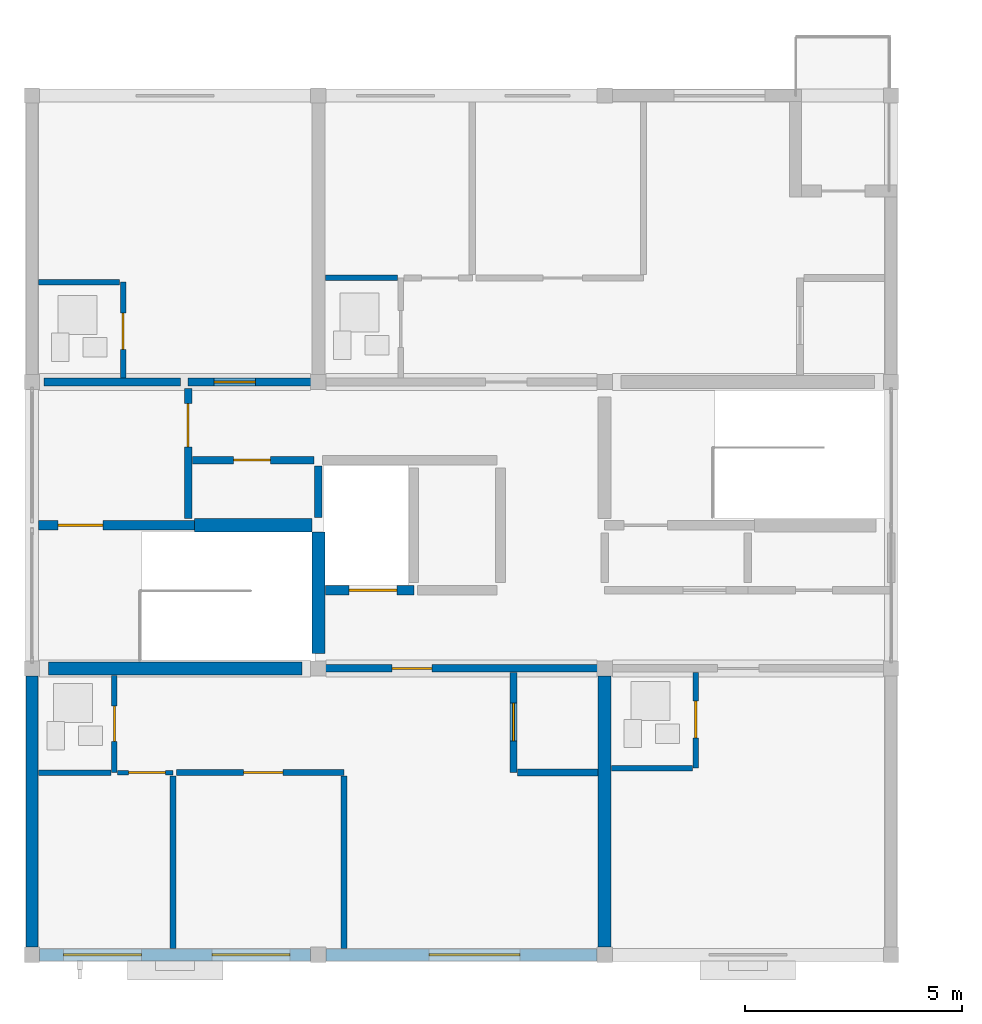
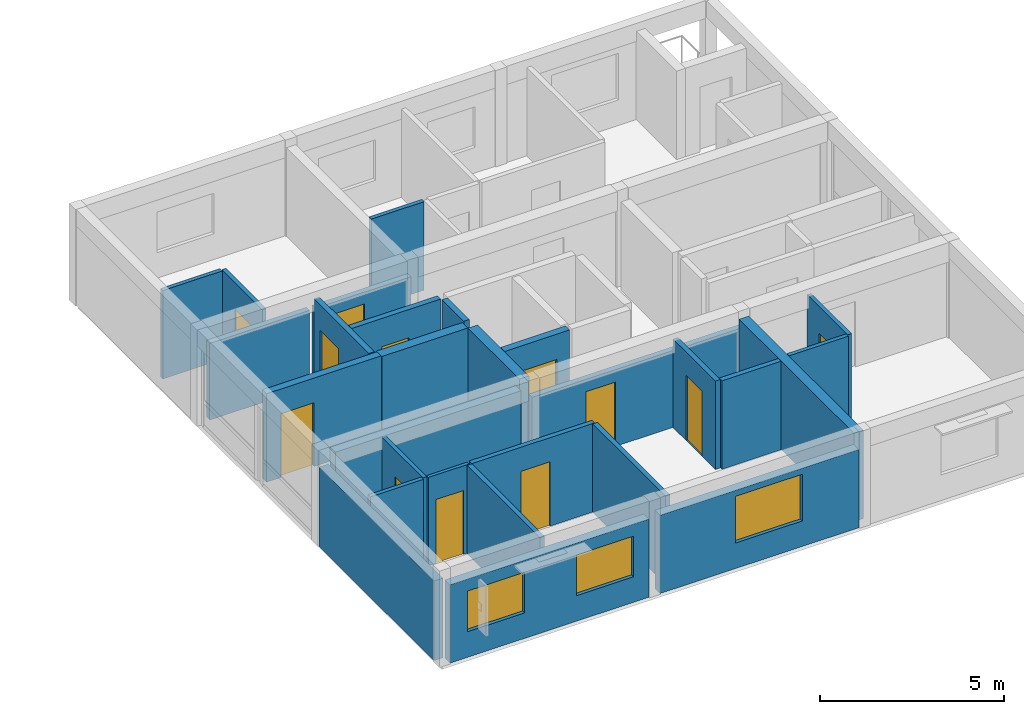
# One storey, part 25 of 49: 28 walls, 12 doors, 3 windows, 15 openings.
"""IFC4 building model written with IfcOpenShell, lengths in metres."""

import ifcopenshell
import ifcopenshell.guid

model = None  # the IFC model being written
_history = None  # IfcOwnerHistory: only IFC2X3 demands one
_inside = {}  # id of a spatial element -> (the spatial element, [elements in it])
_under = {}  # id of a project, library or spatial element -> (it, [spatial elements below it])
_declared = {}  # id of a project -> (the project, [libraries it declares])
_typed = {}  # id of a type object -> (the type object, [elements of that type])
_made_of = {}  # id of a material, layer set ... -> (it, [elements and type objects made of it])


def new_model(schema):
    """Start an empty IFC model of exactly this schema.

    Asked for "IFC4X3", IfcOpenShell would pick the latest addendum, in which some entities
    have other attributes; the version numbers below select the first issue.
    IFC2X3 requires an IfcOwnerHistory on every rooted entity: one is made here for all.
    """
    global model, _history
    if schema == "IFC4X3":
        model = ifcopenshell.file(schema_version=(4, 3, 0, 0))
    else:
        model = ifcopenshell.file(schema=schema)
    _inside.clear()
    _under.clear()
    _declared.clear()
    _typed.clear()
    _made_of.clear()
    _history = None
    if model.schema == "IFC2X3":
        org = make("IfcOrganization", Name="unknown")
        user = make(
            "IfcPersonAndOrganization",
            ThePerson=make("IfcPerson", FamilyName="unknown"),
            TheOrganization=org,
        )
        app = make(
            "IfcApplication",
            ApplicationDeveloper=org,
            Version="unknown",
            ApplicationFullName="unknown",
            ApplicationIdentifier="unknown",
        )
        _history = make(
            "IfcOwnerHistory",
            OwningUser=user,
            OwningApplication=app,
            ChangeAction="ADDED",
            CreationDate=0,
        )
    return model


def make(cls, **values):
    """One entity of the class cls with the attributes given. An attribute that is None is left unset."""
    return model.create_entity(
        cls, **{name: value for name, value in values.items() if value is not None}
    )


def rooted(cls, **values):
    """An entity with a GlobalId (a new one), such as an element, a storey or a relation."""
    return make(cls, GlobalId=ifcopenshell.guid.new(), OwnerHistory=_history, **values)


def si_unit(unit_type, name, prefix=None):
    """IfcSIUnit, for example si_unit("LENGTHUNIT", "METRE", prefix="MILLI")."""
    return make("IfcSIUnit", UnitType=unit_type, Prefix=prefix, Name=name)


def assignment(units):
    """IfcUnitAssignment: the units of a project."""
    return None if units is None else make("IfcUnitAssignment", Units=units)


def point(xyz):
    """IfcCartesianPoint."""
    return None if xyz is None else make("IfcCartesianPoint", Coordinates=xyz)


def direction(xyz):
    """IfcDirection."""
    return None if xyz is None else make("IfcDirection", DirectionRatios=xyz)


def frame(location, z_axis=None, x_axis=None):
    """IfcAxis2Placement3D, a coordinate frame: its origin and axes. An axis left out is left unset."""
    return make(
        "IfcAxis2Placement3D",
        Location=point(location),
        Axis=direction(z_axis),
        RefDirection=direction(x_axis),
    )


def frame_2d(location, x_axis=None):
    """IfcAxis2Placement2D, a coordinate frame in the plane: its origin and x axis."""
    return make(
        "IfcAxis2Placement2D", Location=point(location), RefDirection=direction(x_axis)
    )


def origin():
    """The frame at (0, 0, 0) with its axes left unset."""
    return frame((0.0, 0.0, 0.0))


def place(relative_to, where):
    """IfcLocalPlacement: puts the frame where relative to a parent placement (None: the world)."""
    return make(
        "IfcLocalPlacement", PlacementRelTo=relative_to, RelativePlacement=where
    )


def context(
    kind, dimensions, precision=None, world=None, true_north=None, identifier=None
):
    """IfcGeometricRepresentationContext, for example the 3D "Model" context."""
    return make(
        "IfcGeometricRepresentationContext",
        ContextIdentifier=identifier,
        ContextType=kind,
        CoordinateSpaceDimension=dimensions,
        Precision=precision,
        WorldCoordinateSystem=world,
        TrueNorth=true_north,
    )


def subcontext(parent, identifier, kind, view, scale=None):
    """IfcGeometricRepresentationSubContext, for example "Body" below "Model"."""
    return make(
        "IfcGeometricRepresentationSubContext",
        ContextIdentifier=identifier,
        ContextType=kind,
        ParentContext=parent,
        TargetScale=scale,
        TargetView=view,
    )


def project(units=None, contexts=None):
    """IfcProject with its units and contexts."""
    return rooted(
        "IfcProject",
        Name="project",
        RepresentationContexts=contexts,
        UnitsInContext=assignment(units),
    )


def spatial(cls, under=None, at=None, **own):
    """A site, building, storey or space (cls), placed at a placement, below another one or the project."""
    s = rooted(cls, ObjectPlacement=at, **own)
    if under is not None:
        _under.setdefault(under.id(), (under, []))[1].append(s)
    return s


def profile(cls, at=None, kind="AREA", **sizes):
    """A parametric profile (cls). Its sizes go by their IFC names, for example OverallWidth=200.0."""
    return make(cls, ProfileType=kind, Position=at, **sizes)


def rectangle(**sizes):
    """IfcRectangleProfileDef."""
    return profile("IfcRectangleProfileDef", **sizes)


def extrude(swept, where, along, depth):
    """IfcExtrudedAreaSolid: the profile swept, set in the frame where, extruded along a direction by depth."""
    return make(
        "IfcExtrudedAreaSolid",
        SweptArea=swept,
        Position=where,
        ExtrudedDirection=direction(along),
        Depth=depth,
    )


def shape(context_of_items, identifier, shape_type, items):
    """IfcShapeRepresentation: the items that make up one representation, for example the "Body"."""
    return make(
        "IfcShapeRepresentation",
        ContextOfItems=context_of_items,
        RepresentationIdentifier=identifier,
        RepresentationType=shape_type,
        Items=items,
    )


def material(Name=None, Category=None):
    """IfcMaterial."""
    return make("IfcMaterial", Name=Name, Category=Category)


def layer(
    of_material, thickness, ventilated=None, Name=None, Category=None, Priority=None
):
    """IfcMaterialLayer: one layer of a wall or slab, of a material (None: an air gap)."""
    return make(
        "IfcMaterialLayer",
        Material=of_material,
        LayerThickness=thickness,
        IsVentilated=ventilated,
        Name=Name,
        Category=Category,
        Priority=Priority,
    )


def layer_set(layers, Name=None):
    """IfcMaterialLayerSet."""
    return make("IfcMaterialLayerSet", MaterialLayers=layers, LayerSetName=Name)


def made_of(thing, what):
    """Note that an element or type object is made of a material, layer set ...; save() writes the relation."""
    if what is not None:
        _made_of.setdefault(what.id(), (what, []))[1].append(thing)
    return thing


def type_object(cls, material=None, **own):
    """A type object (cls), such as IfcWallType, which elements share."""
    return made_of(rooted(cls, **own), material)


def element(
    cls,
    number,
    at=None,
    inside=None,
    cuts=None,
    type_object=None,
    material=None,
    context=None,
    identifier="Body",
    shape_type=None,
    held_by="IfcProductDefinitionShape",
    body=None,
    shapes=None,
    **own,
):
    """One element of the class cls, such as IfcWall. Its Tag is "e" and its number.

    at: its placement. inside: the storey or other place that contains it. cuts: it is an
    opening in that element (IfcRelVoidsElement). A single representation is given by context,
    identifier, shape_type and body (its items); several are given by shapes. held_by: the class
    of the entity that holds the representations. save() writes the other relations.
    """
    e = rooted(cls, Tag="e%d" % number, ObjectPlacement=at, **own)
    if body is not None:
        shapes = [shape(context, identifier, shape_type, body)]
    if shapes is not None:
        e.Representation = make(held_by, Representations=shapes)
    if inside is not None:
        _inside.setdefault(inside.id(), (inside, []))[1].append(e)
    if cuts is not None:
        rooted(
            "IfcRelVoidsElement", RelatingBuildingElement=cuts, RelatedOpeningElement=e
        )
    if type_object is not None:
        _typed.setdefault(type_object.id(), (type_object, []))[1].append(e)
    return made_of(e, material)


def fill(opening, filler):
    """IfcRelFillsElement: the door or window that sits in an opening."""
    return rooted(
        "IfcRelFillsElement",
        RelatingOpeningElement=opening,
        RelatedBuildingElement=filler,
    )


def aggregate(whole, parts):
    """IfcRelAggregates: a whole, such as a stair, and the parts it consists of."""
    return rooted("IfcRelAggregates", RelatingObject=whole, RelatedObjects=parts)


def save(model, path):
    """Write the relations noted so far, then the file.

    IfcRelAggregates (storeys below a building ...), IfcRelContainedInSpatialStructure (elements
    in a storey), IfcRelDefinesByType, IfcRelAssociatesMaterial and IfcRelDeclares: one each for
    every whole, place, type object, material and project.
    """
    for whole, parts in _under.values():
        aggregate(whole, parts)
    for where, things in _inside.values():
        rooted(
            "IfcRelContainedInSpatialStructure",
            RelatedElements=things,
            RelatingStructure=where,
        )
    for kind, things in _typed.values():
        rooted("IfcRelDefinesByType", RelatedObjects=things, RelatingType=kind)
    for what, things in _made_of.values():
        rooted("IfcRelAssociatesMaterial", RelatedObjects=things, RelatingMaterial=what)
    for by, libraries in _declared.values():
        rooted("IfcRelDeclares", RelatingContext=by, RelatedDefinitions=libraries)
    model.write(path)


model = new_model("IFC4")

# Units and contexts
model_context = context("Model", 3, precision=1e-05, world=origin(), true_north=direction((0.0, 1.0)))
body_context = subcontext(model_context, "Body", "Model", "MODEL_VIEW")
ifc_project = project(units=[si_unit("LENGTHUNIT", "METRE"), si_unit("AREAUNIT", "SQUARE_METRE"), si_unit("VOLUMEUNIT", "CUBIC_METRE"), si_unit("PLANEANGLEUNIT", "RADIAN"), si_unit("MASSUNIT", "GRAM", prefix="KILO")], contexts=[model_context])

# Site, building, storey
site_placement = place(None, origin())
site = spatial("IfcSite", under=ifc_project, at=site_placement, CompositionType="ELEMENT")
building_placement = place(site_placement, origin())
building = spatial("IfcBuilding", under=site, at=building_placement, Name="Kernevlak Ridge Housing Community", CompositionType="ELEMENT")
storey_placement = place(building_placement, frame((0.0, 0.0, 30.800048828125)))
storey = spatial("IfcBuildingStorey", under=building, at=storey_placement, Name="L09", CompositionType="ELEMENT", Elevation=30.800048828125)

# Wall, openings, windows
ifc_material_1 = material(Name="Concrete block masonry M10", Category="masonry")
ifc_layer_1 = layer(ifc_material_1, 0.280029296875, Name="Concrete block masonry M10")
ifc_layer_set_1 = layer_set([ifc_layer_1], Name="Concrete block masonry M10")
wall_type_1 = type_object("IfcWallType", Name="EW-03", PredefinedType="STANDARD", material=ifc_layer_set_1)
wall_1_placement = place(storey_placement, frame((15.77490234375, 15.60009765625, 0.0), z_axis=(0.0, 0.0, 1.0), x_axis=(1.0, 0.0, 0.0)))
wall_1 = element("IfcWall", 1, at=wall_1_placement, inside=storey, type_object=wall_type_1, Name="Exterior wall EW-03 L09 836", PredefinedType="STANDARD", context=body_context, shape_type="SweptSolid", body=[
    extrude(rectangle(XDim=6.25, YDim=0.280029296875, at=frame_2d((3.125, 0.0))), origin(), (0.0, 0.0, 1.0), 2.599853515625),
])
opening_1_placement = place(wall_1_placement, frame((0.550048828125, 0.0, 0.85009765625)))
opening_1 = element("IfcOpeningElement", 2, at=opening_1_placement, cuts=wall_1, Name="Opening WT-03", PredefinedType="OPENING", context=body_context, shape_type="SweptSolid", body=[
    extrude(rectangle(XDim=1.800048828125, YDim=1.35009765625, at=frame_2d((0.89990234375, 0.675048828125))), frame((0.0, 0.14990234375, 0.0), z_axis=(0.0, -1.0, 0.0), x_axis=(1.0, 0.0, 0.0)), (0.0, 0.0, 1.0), 0.300048828125),
])
opening_2_placement = place(wall_1_placement, frame((3.97509765625, 0.0, 0.85009765625)))
opening_2 = element("IfcOpeningElement", 3, at=opening_2_placement, cuts=wall_1, Name="Opening WT-03", PredefinedType="OPENING", context=body_context, shape_type="SweptSolid", body=[
    extrude(rectangle(XDim=1.800048828125, YDim=1.35009765625, at=frame_2d((0.89990234375, 0.675048828125))), frame((0.0, 0.14990234375, 0.0), z_axis=(0.0, -1.0, 0.0), x_axis=(1.0, 0.0, 0.0)), (0.0, 0.0, 1.0), 0.300048828125),
])
ifc_material_2 = material(Name="Aluminium EN AW-6060 anodised and laminated glass", Category="aluminium")
window_type_1 = type_object("IfcWindowType", Name="WT-03", PartitioningType="SINGLE_PANEL", PredefinedType="WINDOW", material=ifc_material_2)
window_1_placement = place(opening_1_placement, origin())
window_1 = element("IfcWindow", 4, at=window_1_placement, inside=storey, type_object=window_type_1, Name="Window WT-03 L09 691", OverallHeight=1.35009765625, OverallWidth=1.800048828125, PartitioningType="SINGLE_PANEL", PredefinedType="WINDOW", context=body_context, shape_type="SweptSolid", body=[
    extrude(rectangle(XDim=1.800048828125, YDim=1.35009765625, at=frame_2d((0.89990234375, 0.675048828125))), frame((0.0, 0.030029296875, 0.0), z_axis=(0.0, -1.0, 0.0), x_axis=(1.0, 0.0, 0.0)), (0.0, 0.0, 1.0), 0.06005859375),
])
fill(opening_1, window_1)
window_2_placement = place(opening_2_placement, origin())
window_2 = element("IfcWindow", 5, at=window_2_placement, inside=storey, type_object=window_type_1, Name="Window WT-03 L09 692", OverallHeight=1.35009765625, OverallWidth=1.800048828125, PartitioningType="SINGLE_PANEL", PredefinedType="WINDOW", context=body_context, shape_type="SweptSolid", body=[
    extrude(rectangle(XDim=1.800048828125, YDim=1.35009765625, at=frame_2d((0.89990234375, 0.675048828125))), frame((0.0, 0.030029296875, 0.0), z_axis=(0.0, -1.0, 0.0), x_axis=(1.0, 0.0, 0.0)), (0.0, 0.0, 1.0), 0.06005859375),
])
fill(opening_2, window_2)

# Wall, opening, window
wall_2_placement = place(storey_placement, frame((22.375, 15.60009765625, 0.0), z_axis=(0.0, 0.0, 1.0), x_axis=(1.0, 0.0, 0.0)))
wall_2 = element("IfcWall", 6, at=wall_2_placement, inside=storey, type_object=wall_type_1, Name="Exterior wall EW-03 L09 837", PredefinedType="STANDARD", context=body_context, shape_type="SweptSolid", body=[
    extrude(rectangle(XDim=6.25, YDim=0.280029296875, at=frame_2d((3.125, 0.0))), origin(), (0.0, 0.0, 1.0), 2.599853515625),
])
opening_3_placement = place(wall_2_placement, frame((2.37109375, 0.0, 0.85009765625)))
opening_3 = element("IfcOpeningElement", 7, at=opening_3_placement, cuts=wall_2, Name="Opening WT-05", PredefinedType="OPENING", context=body_context, shape_type="SweptSolid", body=[
    extrude(rectangle(XDim=2.10009765625, YDim=1.550048828125, at=frame_2d((1.050048828125, 0.77490234375))), frame((0.0, 0.14990234375, 0.0), z_axis=(0.0, -1.0, 0.0), x_axis=(1.0, 0.0, 0.0)), (0.0, 0.0, 1.0), 0.300048828125),
])
window_type_2 = type_object("IfcWindowType", Name="WT-05", PartitioningType="SINGLE_PANEL", PredefinedType="WINDOW", material=ifc_material_2)
window_3_placement = place(opening_3_placement, origin())
window_3 = element("IfcWindow", 8, at=window_3_placement, inside=storey, type_object=window_type_2, Name="Window WT-05 L09 693", OverallHeight=1.550048828125, OverallWidth=2.10009765625, PartitioningType="SINGLE_PANEL", PredefinedType="WINDOW", context=body_context, shape_type="SweptSolid", body=[
    extrude(rectangle(XDim=2.10009765625, YDim=1.550048828125, at=frame_2d((1.050048828125, 0.77490234375))), frame((0.0, 0.030029296875, 0.0), z_axis=(0.0, -1.0, 0.0), x_axis=(1.0, 0.0, 0.0)), (0.0, 0.0, 1.0), 0.06005859375),
])
fill(opening_3, window_3)

# Wall
wall_3_placement = place(storey_placement, frame((15.60009765625, 15.77490234375, 0.0), z_axis=(0.0, 0.0, 1.0), x_axis=(0.0, 1.0, 0.0)))
element("IfcWall", 9, at=wall_3_placement, inside=storey, type_object=wall_type_1, Name="Exterior wall EW-03 L09 844", PredefinedType="STANDARD", context=body_context, shape_type="SweptSolid", body=[
    extrude(rectangle(XDim=6.25, YDim=0.280029296875, at=frame_2d((3.125, 0.0))), origin(), (0.0, 0.0, 1.0), 2.64990234375),
])

# Wall, opening, door
ifc_material_3 = material(Name="Concrete C35/45", Category="concrete")
ifc_layer_2 = layer(ifc_material_3, 0.22509765625, Name="Concrete C35/45")
ifc_layer_set_2 = layer_set([ifc_layer_2], Name="Concrete C35/45")
wall_type_2 = type_object("IfcWallType", Name="PW-01", PredefinedType="STANDARD", material=ifc_layer_set_2)
wall_4_placement = place(storey_placement, frame((15.75, 25.5, 0.0), z_axis=(0.0, 0.0, 1.0), x_axis=(1.0, 0.0, 0.0)))
wall_4 = element("IfcWall", 10, at=wall_4_placement, inside=storey, type_object=wall_type_2, Name="Interior wall PW-01 WAL-INT-L09-3460", PredefinedType="STANDARD", context=body_context, shape_type="SweptSolid", body=[
    extrude(rectangle(XDim=3.60009765625, YDim=0.22509765625, at=frame_2d((1.800048828125, 0.0))), origin(), (0.0, 0.0, 1.0), 2.93994140625),
])
opening_4_placement = place(wall_4_placement, frame((0.449951171875, 0.0, 0.0)))
opening_4 = element("IfcOpeningElement", 11, at=opening_4_placement, cuts=wall_4, Name="Opening E757", PredefinedType="OPENING", context=body_context, shape_type="SweptSolid", body=[
    extrude(rectangle(XDim=1.0400390625, YDim=2.1201171875, at=frame_2d((0.52001953125, 1.06005859375))), frame((0.0, 0.12255859375, 0.0), z_axis=(0.0, -1.0, 0.0), x_axis=(1.0, 0.0, 0.0)), (0.0, 0.0, 1.0), 0.2451171875),
])
ifc_material_4 = material(Name="Fire-rated sheet steel leaf", Category="steel")
door_type_1 = type_object("IfcDoorType", Name="DT-16", OperationType="NOTDEFINED", PredefinedType="DOOR", material=ifc_material_4)
door_1_placement = place(opening_4_placement, origin())
door_1 = element("IfcDoor", 12, at=door_1_placement, inside=storey, type_object=door_type_1, Name="Block D Stair 1 fire door E757", OperationType="SINGLE_SWING_RIGHT", OverallHeight=2.1201171875, OverallWidth=1.0400390625, PredefinedType="DOOR", context=body_context, shape_type="SweptSolid", body=[
    extrude(rectangle(XDim=1.0400390625, YDim=2.1201171875, at=frame_2d((0.52001953125, 1.06005859375))), frame((0.0, 0.02490234375, 0.0), z_axis=(0.0, -1.0, 0.0), x_axis=(1.0, 0.0, 0.0)), (0.0, 0.0, 1.0), 0.050048828125),
])
fill(opening_4, door_1)

wall_5_placement = place(storey_placement, frame((22.360107421875, 24.0, 0.0), z_axis=(0.0, 0.0, 1.0), x_axis=(1.0, 0.0, 0.0)))
wall_5 = element("IfcWall", 13, at=wall_5_placement, inside=storey, type_object=wall_type_2, Name="Interior wall PW-01 WAL-INT-L09-3464", PredefinedType="STANDARD", context=body_context, shape_type="SweptSolid", body=[
    extrude(rectangle(XDim=2.039794921875, YDim=0.22509765625, at=frame_2d((1.02001953125, 0.0))), origin(), (0.0, 0.0, 1.0), 2.93994140625),
])
opening_5_placement = place(wall_5_placement, frame((0.550048828125, 0.0, 0.0)))
opening_5 = element("IfcOpeningElement", 14, at=opening_5_placement, cuts=wall_5, Name="Opening LD96", PredefinedType="OPENING", context=body_context, shape_type="SweptSolid", body=[
    extrude(rectangle(XDim=1.10009765625, YDim=2.10009765625, at=frame_2d((0.550048828125, 1.050048828125))), frame((0.0, 0.12255859375, 0.0), z_axis=(0.0, -1.0, 0.0), x_axis=(1.0, 0.0, 0.0)), (0.0, 0.0, 1.0), 0.2451171875),
])
ifc_material_5 = material(Name="Stainless steel EN 1.4401", Category="steel")
door_type_2 = type_object("IfcDoorType", Name="DT-LD1", OperationType="DOUBLE_DOOR_SLIDING", PredefinedType="DOOR", material=ifc_material_5)
door_2_placement = place(opening_5_placement, origin())
door_2 = element("IfcDoor", 15, at=door_2_placement, inside=storey, type_object=door_type_2, Name="Lift LF-D1 landing door LD96", OperationType="DOUBLE_DOOR_SLIDING", OverallHeight=2.10009765625, OverallWidth=1.10009765625, PredefinedType="DOOR", context=body_context, shape_type="SweptSolid", body=[
    extrude(rectangle(XDim=1.10009765625, YDim=2.10009765625, at=frame_2d((0.550048828125, 1.050048828125))), frame((0.0, 0.02490234375, 0.0), z_axis=(0.0, -1.0, 0.0), x_axis=(1.0, 0.0, 0.0)), (0.0, 0.0, 1.0), 0.050048828125),
])
fill(opening_5, door_2)

ifc_layer_3 = layer(ifc_material_1, 0.175048828125, Name="Concrete block masonry M10")
ifc_layer_set_3 = layer_set([ifc_layer_3], Name="Concrete block masonry M10")
wall_type_3 = type_object("IfcWallType", Name="PW-02", PredefinedType="PARTITIONING", material=ifc_layer_set_3)
wall_6_placement = place(storey_placement, frame((19.199951171875, 25.64990234375, 0.0), z_axis=(0.0, 0.0, 1.0), x_axis=(0.0, 1.0, 0.0)))
wall_6 = element("IfcWall", 16, at=wall_6_placement, inside=storey, type_object=wall_type_3, Name="Interior wall PW-02 WAL-INT-L09-3461", PredefinedType="PARTITIONING", context=body_context, shape_type="SweptSolid", body=[
    extrude(rectangle(XDim=3.0, YDim=0.175048828125, at=frame_2d((1.5, 0.0))), origin(), (0.0, 0.0, 1.0), 2.93994140625),
])
opening_6_placement = place(wall_6_placement, frame((1.64990234375, 0.0, 0.0)))
opening_6 = element("IfcOpeningElement", 17, at=opening_6_placement, cuts=wall_6, Name="Opening E758", PredefinedType="OPENING", context=body_context, shape_type="SweptSolid", body=[
    extrude(rectangle(XDim=1.0, YDim=2.10009765625, at=frame_2d((0.5, 1.050048828125))), frame((0.0, 0.097412109375, 0.0), z_axis=(0.0, -1.0, 0.0), x_axis=(1.0, 0.0, 0.0)), (0.0, 0.0, 1.0), 0.195068359375),
])
door_type_3 = type_object("IfcDoorType", Name="DT-05", OperationType="NOTDEFINED", PredefinedType="DOOR", material=ifc_material_4)
door_3_placement = place(opening_6_placement, origin())
door_3 = element("IfcDoor", 18, at=door_3_placement, inside=storey, type_object=door_type_3, Name="Block D Firefighting lobby 1 door E758", OperationType="SINGLE_SWING_LEFT", OverallHeight=2.10009765625, OverallWidth=1.0, PredefinedType="DOOR", context=body_context, shape_type="SweptSolid", body=[
    extrude(rectangle(XDim=1.0, YDim=2.10009765625, at=frame_2d((0.5, 1.050048828125))), frame((0.0, 0.02490234375, 0.0), z_axis=(0.0, -1.0, 0.0), x_axis=(1.0, 0.0, 0.0)), (0.0, 0.0, 1.0), 0.050048828125),
])
fill(opening_6, door_3)

wall_7_placement = place(storey_placement, frame((19.300048828125, 27.0, 0.0), z_axis=(0.0, 0.0, 1.0), x_axis=(1.0, 0.0, 0.0)))
wall_7 = element("IfcWall", 19, at=wall_7_placement, inside=storey, type_object=wall_type_3, Name="Interior wall PW-02 WAL-INT-L09-3462", PredefinedType="PARTITIONING", context=body_context, shape_type="SweptSolid", body=[
    extrude(rectangle(XDim=2.800048828125, YDim=0.175048828125, at=frame_2d((1.39990234375, 0.0))), origin(), (0.0, 0.0, 1.0), 2.93994140625),
])
opening_7_placement = place(wall_7_placement, frame((0.949951171875, 0.0, 0.0)))
opening_7 = element("IfcOpeningElement", 20, at=opening_7_placement, cuts=wall_7, Name="Opening E759", PredefinedType="OPENING", context=body_context, shape_type="SweptSolid", body=[
    extrude(rectangle(XDim=0.85009765625, YDim=2.0, at=frame_2d((0.425048828125, 1.0))), frame((0.0, 0.097412109375, 0.0), z_axis=(0.0, -1.0, 0.0), x_axis=(1.0, 0.0, 0.0)), (0.0, 0.0, 1.0), 0.195068359375),
])
door_type_4 = type_object("IfcDoorType", Name="DT-07", OperationType="NOTDEFINED", PredefinedType="DOOR", material=ifc_material_4)
door_4_placement = place(opening_7_placement, origin())
door_4 = element("IfcDoor", 21, at=door_4_placement, inside=storey, type_object=door_type_4, Name="Block D Riser shaft door E759", OperationType="SINGLE_SWING_RIGHT", OverallHeight=2.0, OverallWidth=0.85009765625, PredefinedType="DOOR", context=body_context, shape_type="SweptSolid", body=[
    extrude(rectangle(XDim=0.85009765625, YDim=2.0, at=frame_2d((0.425048828125, 1.0))), frame((0.0, 0.02490234375, 0.0), z_axis=(0.0, -1.0, 0.0), x_axis=(1.0, 0.0, 0.0)), (0.0, 0.0, 1.0), 0.050048828125),
])
fill(opening_7, door_4)

# Wall
wall_8_placement = place(storey_placement, frame((22.199951171875, 25.679931640625, 0.0), z_axis=(0.0, 0.0, 1.0), x_axis=(0.0, 1.0, 0.0)))
element("IfcWall", 22, at=wall_8_placement, inside=storey, type_object=wall_type_3, Name="Interior wall PW-02 WAL-INT-L09-3463", PredefinedType="PARTITIONING", context=body_context, shape_type="SweptSolid", body=[
    extrude(rectangle(XDim=1.190185546875, YDim=0.175048828125, at=frame_2d((0.59521484375, 0.0))), origin(), (0.0, 0.0, 1.0), 2.93994140625),
])

# Wall, opening, door
wall_9_placement = place(storey_placement, frame((22.199951171875, 22.199951171875, 0.0), z_axis=(0.0, 0.0, 1.0), x_axis=(1.0, 0.0, 0.0)))
wall_9 = element("IfcWall", 23, at=wall_9_placement, inside=storey, type_object=wall_type_3, Name="Interior wall PW-02 WAL-INT-L09-3476", PredefinedType="PARTITIONING", context=body_context, shape_type="SweptSolid", body=[
    extrude(rectangle(XDim=6.60009765625, YDim=0.175048828125, at=frame_2d((3.300048828125, 0.0))), origin(), (0.0, 0.0, 1.0), 2.550048828125),
])
opening_8_placement = place(wall_9_placement, frame((1.699951171875, 0.0, 0.0)))
opening_8 = element("IfcOpeningElement", 24, at=opening_8_placement, cuts=wall_9, Name="Opening E763", PredefinedType="OPENING", context=body_context, shape_type="SweptSolid", body=[
    extrude(rectangle(XDim=0.919921875, YDim=2.139892578125, at=frame_2d((0.4599609375, 1.06982421875))), frame((0.0, 0.097412109375, 0.0), z_axis=(0.0, -1.0, 0.0), x_axis=(1.0, 0.0, 0.0)), (0.0, 0.0, 1.0), 0.195068359375),
])
ifc_material_6 = material(Name="Hardwood timber solid-core fire leaf", Category="wood")
door_type_5 = type_object("IfcDoorType", Name="DT-20", OperationType="NOTDEFINED", PredefinedType="DOOR", material=ifc_material_6)
door_5_placement = place(opening_8_placement, origin())
door_5 = element("IfcDoor", 25, at=door_5_placement, inside=storey, type_object=door_type_5, Name="Flat D0911 entrance fire door E763", OperationType="SINGLE_SWING_RIGHT", OverallHeight=2.139892578125, OverallWidth=0.919921875, PredefinedType="DOOR", context=body_context, shape_type="SweptSolid", body=[
    extrude(rectangle(XDim=0.919921875, YDim=2.139892578125, at=frame_2d((0.4599609375, 1.06982421875))), frame((0.0, 0.02490234375, 0.0), z_axis=(0.0, -1.0, 0.0), x_axis=(1.0, 0.0, 0.0)), (0.0, 0.0, 1.0), 0.050048828125),
])
fill(opening_8, door_5)

# Wall
wall_10_placement = place(storey_placement, frame((15.8798828125, 28.800048828125, 0.0), z_axis=(0.0, 0.0, 1.0), x_axis=(1.0, 0.0, 0.0)))
element("IfcWall", 26, at=wall_10_placement, inside=storey, type_object=wall_type_3, Name="Interior wall PW-02 WAL-INT-L09-3488", PredefinedType="PARTITIONING", context=body_context, shape_type="SweptSolid", body=[
    extrude(rectangle(XDim=3.14013671875, YDim=0.175048828125, at=frame_2d((1.570068359375, 0.0))), origin(), (0.0, 0.0, 1.0), 2.550048828125),
])

# Wall, opening, door
wall_11_placement = place(storey_placement, frame((19.199951171875, 28.800048828125, 0.0), z_axis=(0.0, 0.0, 1.0), x_axis=(1.0, 0.0, 0.0)))
wall_11 = element("IfcWall", 27, at=wall_11_placement, inside=storey, type_object=wall_type_3, Name="Interior wall PW-02 WAL-INT-L09-3489", PredefinedType="PARTITIONING", context=body_context, shape_type="SweptSolid", body=[
    extrude(rectangle(XDim=3.0, YDim=0.175048828125, at=frame_2d((1.5, 0.0))), origin(), (0.0, 0.0, 1.0), 2.550048828125),
])
opening_9_placement = place(wall_11_placement, frame((0.60009765625, 0.0, 0.0)))
opening_9 = element("IfcOpeningElement", 28, at=opening_9_placement, cuts=wall_11, Name="Opening E770", PredefinedType="OPENING", context=body_context, shape_type="SweptSolid", body=[
    extrude(rectangle(XDim=0.949951171875, YDim=2.159912109375, at=frame_2d((0.47509765625, 1.080078125))), frame((0.0, 0.097412109375, 0.0), z_axis=(0.0, -1.0, 0.0), x_axis=(1.0, 0.0, 0.0)), (0.0, 0.0, 1.0), 0.195068359375),
])
door_type_6 = type_object("IfcDoorType", Name="DT-02", OperationType="NOTDEFINED", PredefinedType="DOOR", material=ifc_material_6)
door_6_placement = place(opening_9_placement, origin())
door_6 = element("IfcDoor", 29, at=door_6_placement, inside=storey, type_object=door_type_6, Name="Flat D0921 entrance fire door E770", OperationType="SINGLE_SWING_LEFT", OverallHeight=2.159912109375, OverallWidth=0.949951171875, PredefinedType="DOOR", context=body_context, shape_type="SweptSolid", body=[
    extrude(rectangle(XDim=0.949951171875, YDim=2.159912109375, at=frame_2d((0.47509765625, 1.080078125))), frame((0.0, 0.02490234375, 0.0), z_axis=(0.0, -1.0, 0.0), x_axis=(1.0, 0.0, 0.0)), (0.0, 0.0, 1.0), 0.050048828125),
])
fill(opening_9, door_6)

# Wall
ifc_layer_4 = layer(ifc_material_1, 0.14501953125, Name="Concrete block masonry M10")
ifc_layer_set_4 = layer_set([ifc_layer_4], Name="Concrete block masonry M10")
wall_type_4 = type_object("IfcWallType", Name="PW-03", PredefinedType="PARTITIONING", material=ifc_layer_set_4)
wall_12_placement = place(storey_placement, frame((18.85009765625, 19.719970703125, 0.0), z_axis=(0.0, 0.0, 1.0), x_axis=(0.0, -1.0, 0.0)))
element("IfcWall", 30, at=wall_12_placement, inside=storey, type_object=wall_type_4, Name="Interior wall PW-03 WAL-INT-L09-3482", PredefinedType="PARTITIONING", context=body_context, shape_type="SweptSolid", body=[
    extrude(rectangle(XDim=3.969970703125, YDim=0.14501953125, at=frame_2d((1.98486328125, 0.0))), origin(), (0.0, 0.0, 1.0), 2.93994140625),
])

# Wall, opening, door
wall_13_placement = place(storey_placement, frame((18.9326171875, 19.800048828125, 0.0), z_axis=(0.0, 0.0, 1.0), x_axis=(1.0, 0.0, 0.0)))
wall_13 = element("IfcWall", 31, at=wall_13_placement, inside=storey, type_object=wall_type_4, Name="Interior wall PW-03 WAL-INT-L09-3483", PredefinedType="PARTITIONING", context=body_context, shape_type="SweptSolid", body=[
    extrude(rectangle(XDim=3.859375, YDim=0.14501953125, at=frame_2d((1.9296875, 0.0))), origin(), (0.0, 0.0, 1.0), 2.93994140625),
])
opening_10_placement = place(wall_13_placement, frame((1.5458984375, 0.0, 0.0)))
opening_10 = element("IfcOpeningElement", 32, at=opening_10_placement, cuts=wall_13, Name="Opening E767", PredefinedType="OPENING", context=body_context, shape_type="SweptSolid", body=[
    extrude(rectangle(XDim=0.909912109375, YDim=2.139892578125, at=frame_2d((0.455078125, 1.06982421875))), frame((0.0, 0.08251953125, 0.0), z_axis=(0.0, -1.0, 0.0), x_axis=(1.0, 0.0, 0.0)), (0.0, 0.0, 1.0), 0.1650390625),
])
ifc_material_7 = material(Name="Hardwood timber leaf", Category="wood")
door_type_7 = type_object("IfcDoorType", Name="DT-31", OperationType="NOTDEFINED", PredefinedType="DOOR", material=ifc_material_7)
door_7_placement = place(opening_10_placement, origin())
door_7 = element("IfcDoor", 33, at=door_7_placement, inside=storey, type_object=door_type_7, Name="Flat D0911 bedroom door E767", OperationType="SINGLE_SWING_RIGHT", OverallHeight=2.139892578125, OverallWidth=0.909912109375, PredefinedType="DOOR", context=body_context, shape_type="SweptSolid", body=[
    extrude(rectangle(XDim=0.909912109375, YDim=2.139892578125, at=frame_2d((0.455078125, 1.06982421875))), frame((0.0, 0.02490234375, 0.0), z_axis=(0.0, -1.0, 0.0), x_axis=(1.0, 0.0, 0.0)), (0.0, 0.0, 1.0), 0.050048828125),
])
fill(opening_10, door_7)

# Wall
wall_14_placement = place(storey_placement, frame((22.7919921875, 19.717529296875, 0.0), z_axis=(0.0, 0.0, 1.0), x_axis=(0.0, -1.0, 0.0)))
element("IfcWall", 34, at=wall_14_placement, inside=storey, type_object=wall_type_4, Name="Interior wall PW-03 WAL-INT-L09-3484", PredefinedType="PARTITIONING", context=body_context, shape_type="SweptSolid", body=[
    extrude(rectangle(XDim=3.967529296875, YDim=0.14501953125, at=frame_2d((1.98388671875, 0.0))), origin(), (0.0, 0.0, 1.0), 2.93994140625),
])

# Wall, opening, door
ifc_material_8 = material(Name="Gypsum plasterboard EN 520", Category="gypsum")
ifc_layer_5 = layer(ifc_material_8, 0.125, Name="Gypsum plasterboard EN 520")
ifc_layer_set_5 = layer_set([ifc_layer_5], Name="Gypsum plasterboard EN 520")
wall_type_5 = type_object("IfcWallType", Name="PW-04", PredefinedType="PARTITIONING", material=ifc_layer_set_5)
wall_15_placement = place(storey_placement, frame((17.5, 22.0400390625, 0.0), z_axis=(0.0, 0.0, 1.0), x_axis=(0.0, -1.0, 0.0)))
wall_15 = element("IfcWall", 35, at=wall_15_placement, inside=storey, type_object=wall_type_5, Name="Interior wall PW-04 WAL-INT-L09-3477", PredefinedType="PARTITIONING", context=body_context, shape_type="SweptSolid", body=[
    extrude(rectangle(XDim=2.239990234375, YDim=0.125, at=frame_2d((1.1201171875, 0.0))), origin(), (0.0, 0.0, 1.0), 2.93994140625),
])
opening_11_placement = place(wall_15_placement, frame((0.699951171875, 0.0, 0.0)))
opening_11 = element("IfcOpeningElement", 36, at=opening_11_placement, cuts=wall_15, Name="Opening E764", PredefinedType="OPENING", context=body_context, shape_type="SweptSolid", body=[
    extrude(rectangle(XDim=0.820068359375, YDim=2.050048828125, at=frame_2d((0.41015625, 1.02490234375))), frame((0.0, 0.072509765625, 0.0), z_axis=(0.0, -1.0, 0.0), x_axis=(1.0, 0.0, 0.0)), (0.0, 0.0, 1.0), 0.14501953125),
])
ifc_material_9 = material(Name="Hardwood timber moisture-resistant leaf", Category="wood")
door_type_8 = type_object("IfcDoorType", Name="DT-30", OperationType="NOTDEFINED", PredefinedType="DOOR", material=ifc_material_9)
door_8_placement = place(opening_11_placement, origin())
door_8 = element("IfcDoor", 37, at=door_8_placement, inside=storey, type_object=door_type_8, Name="Flat D0911 bathroom door E764", OperationType="SINGLE_SWING_LEFT", OverallHeight=2.050048828125, OverallWidth=0.820068359375, PredefinedType="DOOR", context=body_context, shape_type="SweptSolid", body=[
    extrude(rectangle(XDim=0.820068359375, YDim=2.050048828125, at=frame_2d((0.41015625, 1.02490234375))), frame((0.0, 0.02490234375, 0.0), z_axis=(0.0, -1.0, 0.0), x_axis=(1.0, 0.0, 0.0)), (0.0, 0.0, 1.0), 0.050048828125),
])
fill(opening_11, door_8)

# Wall
wall_16_placement = place(storey_placement, frame((15.75, 19.800048828125, 0.0), z_axis=(0.0, 0.0, 1.0), x_axis=(1.0, 0.0, 0.0)))
element("IfcWall", 38, at=wall_16_placement, inside=storey, type_object=wall_type_5, Name="Interior wall PW-04 WAL-INT-L09-3478", PredefinedType="PARTITIONING", context=body_context, shape_type="SweptSolid", body=[
    extrude(rectangle(XDim=1.669921875, YDim=0.125, at=frame_2d((0.8349609375, 0.0))), origin(), (0.0, 0.0, 1.0), 2.93994140625),
])

# Wall, opening, door
wall_17_placement = place(storey_placement, frame((30.89990234375, 22.1025390625, 0.0), z_axis=(0.0, 0.0, 1.0), x_axis=(0.0, -1.0, 0.0)))
wall_17 = element("IfcWall", 39, at=wall_17_placement, inside=storey, type_object=wall_type_5, Name="Interior wall PW-04 WAL-INT-L09-3486", PredefinedType="PARTITIONING", context=body_context, shape_type="SweptSolid", body=[
    extrude(rectangle(XDim=2.20263671875, YDim=0.125, at=frame_2d((1.101318359375, 0.0))), origin(), (0.0, 0.0, 1.0), 2.93994140625),
])
opening_12_placement = place(wall_17_placement, frame((0.64990234375, 0.0, 0.0)))
opening_12 = element("IfcOpeningElement", 40, at=opening_12_placement, cuts=wall_17, Name="Opening E769", PredefinedType="OPENING", context=body_context, shape_type="SweptSolid", body=[
    extrude(rectangle(XDim=0.85009765625, YDim=2.0400390625, at=frame_2d((0.425048828125, 1.02001953125))), frame((0.0, 0.072509765625, 0.0), z_axis=(0.0, -1.0, 0.0), x_axis=(1.0, 0.0, 0.0)), (0.0, 0.0, 1.0), 0.14501953125),
])
door_type_9 = type_object("IfcDoorType", Name="DT-04", OperationType="NOTDEFINED", PredefinedType="DOOR", material=ifc_material_9)
door_9_placement = place(opening_12_placement, origin())
door_9 = element("IfcDoor", 41, at=door_9_placement, inside=storey, type_object=door_type_9, Name="Flat D0912 bathroom door E769", OperationType="SINGLE_SWING_RIGHT", OverallHeight=2.0400390625, OverallWidth=0.85009765625, PredefinedType="DOOR", context=body_context, shape_type="SweptSolid", body=[
    extrude(rectangle(XDim=0.85009765625, YDim=2.0400390625, at=frame_2d((0.425048828125, 1.02001953125))), frame((0.0, 0.02490234375, 0.0), z_axis=(0.0, -1.0, 0.0), x_axis=(1.0, 0.0, 0.0)), (0.0, 0.0, 1.0), 0.050048828125),
])
fill(opening_12, door_9)

# Wall
wall_18_placement = place(storey_placement, frame((28.9599609375, 19.89990234375, 0.0), z_axis=(0.0, 0.0, 1.0), x_axis=(1.0, 0.0, 0.0)))
element("IfcWall", 42, at=wall_18_placement, inside=storey, type_object=wall_type_5, Name="Interior wall PW-04 WAL-INT-L09-3487", PredefinedType="PARTITIONING", context=body_context, shape_type="SweptSolid", body=[
    extrude(rectangle(XDim=1.860107421875, YDim=0.125, at=frame_2d((0.93017578125, 0.0))), origin(), (0.0, 0.0, 1.0), 2.93994140625),
])

# Wall, opening, door
wall_19_placement = place(storey_placement, frame((17.699951171875, 28.8974609375, 0.0), z_axis=(0.0, 0.0, 1.0), x_axis=(0.0, 1.0, 0.0)))
wall_19 = element("IfcWall", 43, at=wall_19_placement, inside=storey, type_object=wall_type_5, Name="Interior wall PW-04 WAL-INT-L09-3490", PredefinedType="PARTITIONING", context=body_context, shape_type="SweptSolid", body=[
    extrude(rectangle(XDim=2.20263671875, YDim=0.125, at=frame_2d((1.101318359375, 0.0))), origin(), (0.0, 0.0, 1.0), 2.93994140625),
])
opening_13_placement = place(wall_19_placement, frame((0.64990234375, 0.0, 0.0)))
opening_13 = element("IfcOpeningElement", 44, at=opening_13_placement, cuts=wall_19, Name="Opening E771", PredefinedType="OPENING", context=body_context, shape_type="SweptSolid", body=[
    extrude(rectangle(XDim=0.840087890625, YDim=2.06005859375, at=frame_2d((0.419921875, 1.030029296875))), frame((0.0, 0.072509765625, 0.0), z_axis=(0.0, -1.0, 0.0), x_axis=(1.0, 0.0, 0.0)), (0.0, 0.0, 1.0), 0.14501953125),
])
door_type_10 = type_object("IfcDoorType", Name="DT-27", OperationType="NOTDEFINED", PredefinedType="DOOR", material=ifc_material_9)
door_10_placement = place(opening_13_placement, origin())
door_10 = element("IfcDoor", 45, at=door_10_placement, inside=storey, type_object=door_type_10, Name="Flat D0921 bathroom door E771", OperationType="SINGLE_SWING_RIGHT", OverallHeight=2.06005859375, OverallWidth=0.840087890625, PredefinedType="DOOR", context=body_context, shape_type="SweptSolid", body=[
    extrude(rectangle(XDim=0.840087890625, YDim=2.06005859375, at=frame_2d((0.419921875, 1.030029296875))), frame((0.0, 0.02490234375, 0.0), z_axis=(0.0, -1.0, 0.0), x_axis=(1.0, 0.0, 0.0)), (0.0, 0.0, 1.0), 0.050048828125),
])
fill(opening_13, door_10)

# Walls
wall_20_placement = place(storey_placement, frame((15.75, 31.10009765625, 0.0), z_axis=(0.0, 0.0, 1.0), x_axis=(1.0, 0.0, 0.0)))
element("IfcWall", 46, at=wall_20_placement, inside=storey, type_object=wall_type_5, Name="Interior wall PW-04 WAL-INT-L09-3491", PredefinedType="PARTITIONING", context=body_context, shape_type="SweptSolid", body=[
    extrude(rectangle(XDim=1.8701171875, YDim=0.125, at=frame_2d((0.93505859375, 0.0))), origin(), (0.0, 0.0, 1.0), 2.93994140625),
])
wall_21_placement = place(storey_placement, frame((22.360107421875, 31.199951171875, 0.0), z_axis=(0.0, 0.0, 1.0), x_axis=(1.0, 0.0, 0.0)))
element("IfcWall", 47, at=wall_21_placement, inside=storey, type_object=wall_type_5, Name="Interior wall PW-04 WAL-INT-L09-3494", PredefinedType="PARTITIONING", context=body_context, shape_type="SweptSolid", body=[
    extrude(rectangle(XDim=1.659912109375, YDim=0.125, at=frame_2d((0.830078125, 0.0))), origin(), (0.0, 0.0, 1.0), 2.93994140625),
])

# Wall, opening, door
ifc_layer_6 = layer(ifc_material_8, 0.155029296875, Name="Gypsum plasterboard EN 520")
ifc_layer_set_6 = layer_set([ifc_layer_6], Name="Gypsum plasterboard EN 520")
wall_type_6 = type_object("IfcWallType", Name="PW-05", PredefinedType="PARTITIONING", material=ifc_layer_set_6)
wall_22_placement = place(storey_placement, frame((26.699951171875, 22.1025390625, 0.0), z_axis=(0.0, 0.0, 1.0), x_axis=(0.0, -1.0, 0.0)))
wall_22 = element("IfcWall", 48, at=wall_22_placement, inside=storey, type_object=wall_type_6, Name="Interior wall PW-05 WAL-INT-L09-3479", PredefinedType="PARTITIONING", context=body_context, shape_type="SweptSolid", body=[
    extrude(rectangle(XDim=2.302490234375, YDim=0.155029296875, at=frame_2d((1.1513671875, 0.0))), origin(), (0.0, 0.0, 1.0), 2.93994140625),
])
opening_14_placement = place(wall_22_placement, frame((0.699951171875, 0.0, 0.0)))
opening_14 = element("IfcOpeningElement", 49, at=opening_14_placement, cuts=wall_22, Name="Opening E765", PredefinedType="OPENING", context=body_context, shape_type="SweptSolid", body=[
    extrude(rectangle(XDim=0.8798828125, YDim=2.159912109375, at=frame_2d((0.43994140625, 1.080078125))), frame((0.0, 0.08740234375, 0.0), z_axis=(0.0, -1.0, 0.0), x_axis=(1.0, 0.0, 0.0)), (0.0, 0.0, 1.0), 0.175048828125),
])
door_type_11 = type_object("IfcDoorType", Name="DT-26", OperationType="NOTDEFINED", PredefinedType="DOOR", material=ifc_material_7)
door_11_placement = place(opening_14_placement, origin())
door_11 = element("IfcDoor", 50, at=door_11_placement, inside=storey, type_object=door_type_11, Name="Flat D0911 kitchen door E765", OperationType="SINGLE_SWING_RIGHT", OverallHeight=2.159912109375, OverallWidth=0.8798828125, PredefinedType="DOOR", context=body_context, shape_type="SweptSolid", body=[
    extrude(rectangle(XDim=0.8798828125, YDim=2.159912109375, at=frame_2d((0.43994140625, 1.080078125))), frame((0.0, 0.02490234375, 0.0), z_axis=(0.0, -1.0, 0.0), x_axis=(1.0, 0.0, 0.0)), (0.0, 0.0, 1.0), 0.050048828125),
])
fill(opening_14, door_11)

# Wall
wall_23_placement = place(storey_placement, frame((26.78759765625, 19.800048828125, 0.0), z_axis=(0.0, 0.0, 1.0), x_axis=(1.0, 0.0, 0.0)))
element("IfcWall", 51, at=wall_23_placement, inside=storey, type_object=wall_type_6, Name="Interior wall PW-05 WAL-INT-L09-3480", PredefinedType="PARTITIONING", context=body_context, shape_type="SweptSolid", body=[
    extrude(rectangle(XDim=1.852294921875, YDim=0.155029296875, at=frame_2d((0.92626953125, 0.0))), origin(), (0.0, 0.0, 1.0), 2.93994140625),
])

# Wall, opening, door
ifc_layer_7 = layer(ifc_material_8, 0.10498046875, Name="Gypsum plasterboard EN 520")
ifc_layer_set_7 = layer_set([ifc_layer_7], Name="Gypsum plasterboard EN 520")
wall_type_7 = type_object("IfcWallType", Name="PW-06", PredefinedType="PARTITIONING", material=ifc_layer_set_7)
wall_24_placement = place(storey_placement, frame((17.572509765625, 19.800048828125, 0.0), z_axis=(0.0, 0.0, 1.0), x_axis=(1.0, 0.0, 0.0)))
wall_24 = element("IfcWall", 52, at=wall_24_placement, inside=storey, type_object=wall_type_7, Name="Interior wall PW-06 WAL-INT-L09-3481", PredefinedType="PARTITIONING", context=body_context, shape_type="SweptSolid", body=[
    extrude(rectangle(XDim=1.277587890625, YDim=0.10498046875, at=frame_2d((0.638671875, 0.0))), origin(), (0.0, 0.0, 1.0), 2.93994140625),
])
opening_15_placement = place(wall_24_placement, frame((0.24755859375, 0.0, 0.0)))
opening_15 = element("IfcOpeningElement", 53, at=opening_15_placement, cuts=wall_24, Name="Opening E766", PredefinedType="OPENING", context=body_context, shape_type="SweptSolid", body=[
    extrude(rectangle(XDim=0.860107421875, YDim=2.1201171875, at=frame_2d((0.43017578125, 1.06005859375))), frame((0.0, 0.0625, 0.0), z_axis=(0.0, -1.0, 0.0), x_axis=(1.0, 0.0, 0.0)), (0.0, 0.0, 1.0), 0.125),
])
door_type_12 = type_object("IfcDoorType", Name="DT-28", OperationType="NOTDEFINED", PredefinedType="DOOR", material=ifc_material_7)
door_12_placement = place(opening_15_placement, origin())
door_12 = element("IfcDoor", 54, at=door_12_placement, inside=storey, type_object=door_type_12, Name="Flat D0911 bedroom door E766", OperationType="SINGLE_SWING_LEFT", OverallHeight=2.1201171875, OverallWidth=0.860107421875, PredefinedType="DOOR", context=body_context, shape_type="SweptSolid", body=[
    extrude(rectangle(XDim=0.860107421875, YDim=2.1201171875, at=frame_2d((0.43017578125, 1.06005859375))), frame((0.0, 0.02490234375, 0.0), z_axis=(0.0, -1.0, 0.0), x_axis=(1.0, 0.0, 0.0)), (0.0, 0.0, 1.0), 0.050048828125),
])
fill(opening_15, door_12)

# Walls
ifc_material_10 = material(Name="Concrete C40/50", Category="concrete")
ifc_layer_8 = layer(ifc_material_10, 0.300048828125, Name="Concrete C40/50")
ifc_layer_set_8 = layer_set([ifc_layer_8], Name="Concrete C40/50")
wall_type_8 = type_object("IfcWallType", Name="SW-02", PredefinedType="SHEAR", material=ifc_layer_set_8)
wall_25_placement = place(storey_placement, frame((15.97998046875, 22.199951171875, 0.0), z_axis=(0.0, 0.0, 1.0), x_axis=(1.0, 0.0, 0.0)))
element("IfcWall", 55, at=wall_25_placement, inside=storey, type_object=wall_type_8, Name="Shear wall SW-02 Block D L09 595", PredefinedType="SHEAR", context=body_context, shape_type="SweptSolid", body=[
    extrude(rectangle(XDim=5.840087890625, YDim=0.300048828125, at=frame_2d((2.919921875, 0.0))), origin(), (0.0, 0.0, 1.0), 2.93994140625),
])
wall_26_placement = place(storey_placement, frame((19.35009765625, 25.5, 0.0), z_axis=(0.0, 0.0, 1.0), x_axis=(1.0, 0.0, 0.0)))
element("IfcWall", 56, at=wall_26_placement, inside=storey, type_object=wall_type_8, Name="Shear wall SW-02 Block D L09 596", PredefinedType="SHEAR", context=body_context, shape_type="SweptSolid", body=[
    extrude(rectangle(XDim=2.699951171875, YDim=0.300048828125, at=frame_2d((1.35009765625, 0.0))), origin(), (0.0, 0.0, 1.0), 2.93994140625),
])
wall_27_placement = place(storey_placement, frame((22.199951171875, 22.550048828125, 0.0), z_axis=(0.0, 0.0, 1.0), x_axis=(0.0, 1.0, 0.0)))
element("IfcWall", 57, at=wall_27_placement, inside=storey, type_object=wall_type_8, Name="Shear wall SW-02 Block D L09 597", PredefinedType="SHEAR", context=body_context, shape_type="SweptSolid", body=[
    extrude(rectangle(XDim=2.800048828125, YDim=0.300048828125, at=frame_2d((1.39990234375, 0.0))), origin(), (0.0, 0.0, 1.0), 2.93994140625),
])
wall_28_placement = place(storey_placement, frame((28.800048828125, 15.77490234375, 0.0), z_axis=(0.0, 0.0, 1.0), x_axis=(0.0, 1.0, 0.0)))
element("IfcWall", 58, at=wall_28_placement, inside=storey, type_object=wall_type_8, Name="Shear wall SW-02 Block D L09 601", PredefinedType="SHEAR", context=body_context, shape_type="SweptSolid", body=[
    extrude(rectangle(XDim=6.25, YDim=0.300048828125, at=frame_2d((3.125, 0.0))), origin(), (0.0, 0.0, 1.0), 2.93994140625),
])

save(model, "model.ifc")
